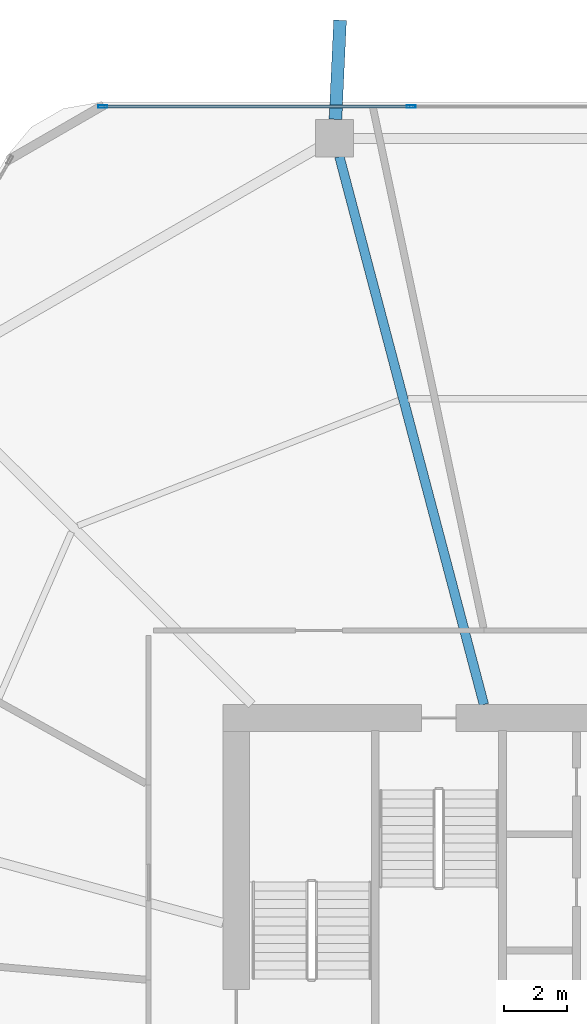
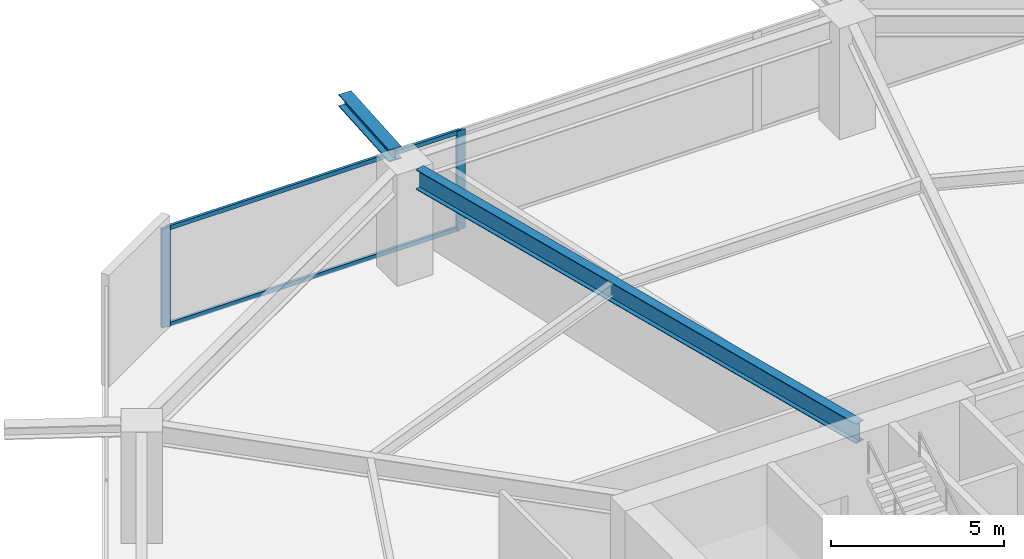
# One storey, part 15 of 25: 4 members, 2 beams, 1 element without a shape of its own.
"""IFC4 building model written with IfcOpenShell, lengths in metres."""

from ifc_helpers import new_model, si_unit, direction, frame, origin, origin_2d, place, context, subcontext, project, spatial, hollow_rectangle, i_section, extrude, material, material_profile, profile_set, type_object, element, aggregate, save


model = new_model("IFC4")

# Units and contexts
model_context = context("Model", 3, precision=1e-05, world=origin(), true_north=direction((0.0, 1.0)))
body_context = subcontext(model_context, "Body", "Model", "MODEL_VIEW")
ifc_project = project(units=[si_unit("LENGTHUNIT", "METRE"), si_unit("AREAUNIT", "SQUARE_METRE"), si_unit("VOLUMEUNIT", "CUBIC_METRE"), si_unit("PLANEANGLEUNIT", "RADIAN"), si_unit("MASSUNIT", "GRAM", prefix="KILO")], contexts=[model_context])

# Site, building, storey
site_placement = place(None, origin())
site = spatial("IfcSite", under=ifc_project, at=site_placement, CompositionType="ELEMENT")
building_placement = place(site_placement, origin())
building = spatial("IfcBuilding", under=site, at=building_placement, Name="Zuhravey Tower", CompositionType="ELEMENT")
storey_placement = place(building_placement, frame((0.0, 0.0, 62.39990234375)))
storey = spatial("IfcBuildingStorey", under=building, at=storey_placement, Name="L15", CompositionType="ELEMENT", Elevation=62.39990234375)

# Curtain wall, members
ifc_material_1 = material(Name="Thermally broken anodised aluminium", Category="aluminium")
curtain_wall_type = type_object("IfcCurtainWallType", Name="School Low-E Unitised Curtain Wall CW1", PredefinedType="NOTDEFINED", material=ifc_material_1)
curtain_wall_placement = place(storey_placement, origin())
curtain_wall = element("IfcCurtainWall", 1, at=curtain_wall_placement, inside=storey, type_object=curtain_wall_type, Name="L15 CW1 CW-L15-F2-1", PredefinedType="NOTDEFINED")
ifc_material_2 = material(Name="Anodised aluminium", Category="aluminium")
ifc_material_profile_1 = material_profile(ifc_material_2, hollow_rectangle(XDim=0.090087890625, YDim=0.284912109375, WallThickness=0.0048828125, at=origin_2d()), Name="ALU-RHS-90x285x5")
ifc_profile_set_1 = profile_set([ifc_material_profile_1], Name="Anodised aluminium")
member_type_1 = type_object("IfcMemberType", Name="Curtain-Wall Mullion 90x180", PredefinedType="MULLION", material=ifc_profile_set_1)
member_1_placement = place(storey_placement, frame((21.24560546875, 60.95849609375, 0.0), z_axis=(0.0, 0.0, 1.0), x_axis=(0.0, 1.0, 0.0)))
member_1 = element("IfcMember", 2, at=member_1_placement, type_object=member_type_1, Name="CW1 mullion 1", PredefinedType="MULLION", context=body_context, shape_type="SweptSolid", body=[
    extrude(hollow_rectangle(XDim=0.090087890625, YDim=0.284912109375, WallThickness=0.0048828125, at=origin_2d()), origin(), (0.0, 0.0, 1.0), 3.4921875),
])
member_2_placement = place(storey_placement, frame((31.06689453125, 60.95849609375, 0.0), z_axis=(0.0, 0.0, 1.0), x_axis=(0.0, 1.0, 0.0)))
member_2 = element("IfcMember", 3, at=member_2_placement, type_object=member_type_1, Name="CW1 mullion 2", PredefinedType="MULLION", context=body_context, shape_type="SweptSolid", body=[
    extrude(hollow_rectangle(XDim=0.090087890625, YDim=0.284912109375, WallThickness=0.0048828125, at=origin_2d()), origin(), (0.0, 0.0, 1.0), 3.4921875),
])
ifc_material_profile_2 = material_profile(ifc_material_2, hollow_rectangle(XDim=0.090087890625, YDim=0.14990234375, WallThickness=0.0048828125, at=origin_2d()), Name="ALU-RHS-90x150x5")
ifc_profile_set_2 = profile_set([ifc_material_profile_2], Name="Anodised aluminium")
member_type_2 = type_object("IfcMemberType", Name="Curtain-Wall Transom 90x150", PredefinedType="USERDEFINED", material=ifc_profile_set_2)
member_3_placement = place(storey_placement, frame((21.29052734375, 60.95849609375, 0.045166015625), z_axis=(1.0, 0.0, 0.0), x_axis=(0.0, 1.0, 0.0)))
member_3 = element("IfcMember", 4, at=member_3_placement, type_object=member_type_2, Name="CW1 transom 1.1", ObjectType="TRANSOM", PredefinedType="USERDEFINED", context=body_context, shape_type="SweptSolid", body=[
    extrude(hollow_rectangle(XDim=0.090087890625, YDim=0.14990234375, WallThickness=0.0048828125, at=origin_2d()), origin(), (0.0, 0.0, 1.0), 9.731201171875),
])
member_4_placement = place(storey_placement, frame((21.29052734375, 60.95849609375, 3.447021484375), z_axis=(1.0, 0.0, 0.0), x_axis=(0.0, 1.0, 0.0)))
member_4 = element("IfcMember", 5, at=member_4_placement, type_object=member_type_2, Name="CW1 transom 1.2", ObjectType="TRANSOM", PredefinedType="USERDEFINED", context=body_context, shape_type="SweptSolid", body=[
    extrude(hollow_rectangle(XDim=0.090087890625, YDim=0.14990234375, WallThickness=0.0048828125, at=origin_2d()), origin(), (0.0, 0.0, 1.0), 9.731201171875),
])
aggregate(curtain_wall, [member_1, member_2, member_3, member_4])

# Beams
ifc_material_3 = material(Name="Steel SM460", Category="steel")
ifc_material_profile_3 = material_profile(ifc_material_3, i_section(OverallWidth=0.406982421875, OverallDepth=0.427978515625, WebThickness=0.02001953125, FlangeThickness=0.034912109375, at=origin_2d()), Name="H-428x407x20x35")
ifc_profile_set_3 = profile_set([ifc_material_profile_3], Name="Steel SM460")
beam_type_1 = type_object("IfcBeamType", Name="Exoskeleton Node Tie Beam H428x407", PredefinedType="BEAM", material=ifc_profile_set_3)
beam_1_placement = place(storey_placement, frame((28.658203125, 60.552490234375, 3.7060546875), z_axis=(0.046667932631, 0.998910458482, 0.0), x_axis=(-0.998910458482, 0.046667932631, 0.0)))
element("IfcBeam", 6, at=beam_1_placement, inside=storey, type_object=beam_type_1, Name="L15 Exoskeleton Node Tie NT1-04", PredefinedType="BEAM", context=body_context, shape_type="SweptSolid", body=[
    extrude(i_section(OverallWidth=0.406982421875, OverallDepth=0.427978515625, WebThickness=0.02001953125, FlangeThickness=0.034912109375, at=origin_2d()), origin(), (0.0, 0.0, 1.0), 3.154541015625),
])
ifc_material_4 = material(Name="Steel SM355", Category="steel")
ifc_material_profile_4 = material_profile(ifc_material_4, i_section(OverallWidth=0.300048828125, OverallDepth=0.699951171875, WebThickness=0.012939453125, FlangeThickness=0.02392578125, at=origin_2d()), Name="H-700x300x13x24")
ifc_profile_set_4 = profile_set([ifc_material_profile_4], Name="Steel SM355")
beam_type_2 = type_object("IfcBeamType", Name="Radial Primary Girder H700x300", PredefinedType="BEAM", material=ifc_profile_set_4)
beam_2_placement = place(storey_placement, frame((33.382080078125, 41.927978515625, 3.570068359375), z_axis=(-0.254989720435, 0.966943763862, 0.0), x_axis=(-0.966943763862, -0.254989720435, 0.0)))
element("IfcBeam", 7, at=beam_2_placement, inside=storey, type_object=beam_type_2, Name="L15 RG1 BM-L15-RAD-04", PredefinedType="BEAM", context=body_context, shape_type="SweptSolid", body=[
    extrude(i_section(OverallWidth=0.300048828125, OverallDepth=0.699951171875, WebThickness=0.012939453125, FlangeThickness=0.02392578125, at=origin_2d()), origin(), (0.0, 0.0, 1.0), 18.03369140625),
])

save(model, "model.ifc")
